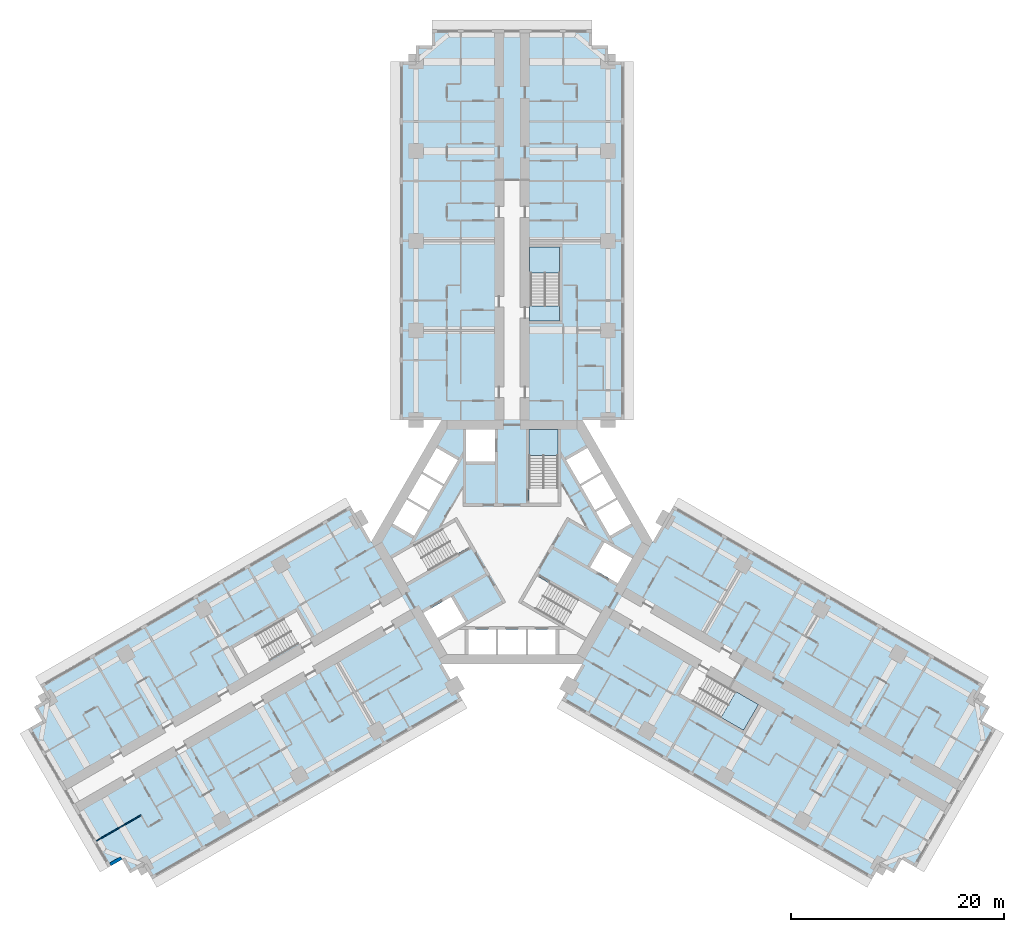
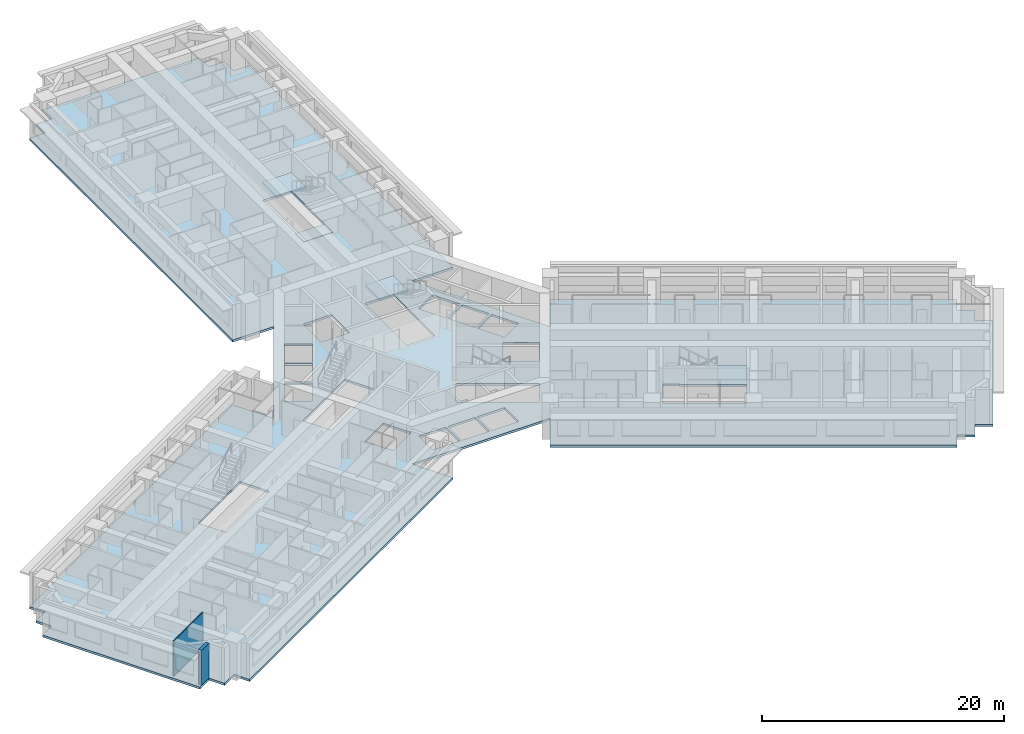
# One storey, part 2 of 16: 5 slabs, 2 walls, 3 elements without a shape of their own.
"""IFC4 building model written with IfcOpenShell, lengths in metres."""

from ifc_helpers import new_model, si_unit, direction, frame, frame_2d, origin, place, context, subcontext, project, spatial, polyline, rectangle, outline, extrude, material, layer, layer_set, type_object, element, aggregate, save


model = new_model("IFC4")

# Units and contexts
model_context = context("Model", 3, precision=1e-05, world=origin(), true_north=direction((0.0, 1.0)))
body_context = subcontext(model_context, "Body", "Model", "MODEL_VIEW")
ifc_project = project(units=[si_unit("LENGTHUNIT", "METRE"), si_unit("AREAUNIT", "SQUARE_METRE"), si_unit("VOLUMEUNIT", "CUBIC_METRE"), si_unit("PLANEANGLEUNIT", "RADIAN"), si_unit("MASSUNIT", "GRAM", prefix="KILO")], contexts=[model_context])

# Site, building, storey
site_placement = place(None, origin())
site = spatial("IfcSite", under=ifc_project, at=site_placement, CompositionType="ELEMENT")
building_placement = place(site_placement, origin())
building = spatial("IfcBuilding", under=site, at=building_placement, Name="Impinga Residences", CompositionType="ELEMENT")
storey_placement = place(building_placement, frame((0.0, 0.0, 56.0)))
storey = spatial("IfcBuildingStorey", under=building, at=storey_placement, Name="L13", CompositionType="ELEMENT", Elevation=56.0)

# Slab
ifc_material_1 = material(Name="Concrete C60/75", Category="concrete")
ifc_layer_1 = layer(ifc_material_1, 0.219970703125)
ifc_layer_set_1 = layer_set([ifc_layer_1], Name="Concrete C60/75")
slab_type_1 = type_object("IfcSlabType", Name="FS1 tower floor slab 220", PredefinedType="FLOOR", material=ifc_layer_set_1)
slab_1_placement = place(storey_placement, frame((0.0, 0.0, -0.219970703125)))
element("IfcSlab", 1, at=slab_1_placement, inside=storey, type_object=slab_type_1, Name="Floor slab FS1 L13", PredefinedType="FLOOR", context=body_context, shape_type="SweptSolid", body=[
    extrude(outline(polyline([(-34.49853515625, -30.31005859375), (-35.797607421875, -31.06005859375), (-36.547607421875, -29.760986328125), (-37.846435546875, -30.510986328125), (-45.346435546875, -17.5205078125), (-44.047607421875, -16.7705078125), (-44.797607421875, -15.471435546875), (-43.49853515625, -14.721435546875), (-44.24853515625, -13.422607421875), (-15.14990234375, 3.37744140625), (-13.199951171875, 0.0), (-6.60009765625, 11.431640625), (-10.5, 11.431640625), (-10.5, 45.031494140625), (-9.0, 45.031494140625), (-9.0, 46.531494140625), (-7.5, 46.531494140625), (-7.5, 48.031494140625), (7.5, 48.031494140625), (7.5, 46.531494140625), (9.0, 46.531494140625), (9.0, 45.031494140625), (10.5, 45.031494140625), (10.5, 11.431640625), (6.60009765625, 11.431640625), (13.199951171875, 0.0), (15.14990234375, 3.37744140625), (44.24853515625, -13.422607421875), (43.49853515625, -14.721435546875), (44.797607421875, -15.471435546875), (44.047607421875, -16.7705078125), (45.346435546875, -17.5205078125), (37.846435546875, -30.510986328125), (36.547607421875, -29.760986328125), (35.797607421875, -31.06005859375), (34.49853515625, -30.31005859375), (33.74853515625, -31.609130859375), (4.64990234375, -14.80908203125), (9.900146484375, -5.7158203125), (6.60009765625, -11.431640625), (-6.60009765625, -11.431640625), (-9.900146484375, -5.7158203125), (-4.64990234375, -14.80908203125), (-33.74853515625, -31.609130859375), (-34.49853515625, -30.31005859375)]), holes=[polyline([(-21.391357421875, -7.2119140625), (-26.154541015625, -9.9619140625), (-24.8046875, -12.30029296875), (-20.04150390625, -9.55029296875), (-19.991455078125, -9.63671875), (-18.779052734375, -8.936767578125), (-18.8291015625, -8.850341796875), (-18.8291015625, -8.850341796875), (-20.178955078125, -6.511962890625), (-21.391357421875, -7.2119140625), (-21.391357421875, -7.2119140625)]), polyline([(-1.5, -8.2314453125), (-4.10009765625, -8.2314453125), (-4.10009765625, -10.531494140625), (-1.5, -10.531494140625), (-1.5, -8.2314453125)]), polyline([(1.300048828125, -8.2314453125), (-1.300048828125, -8.2314453125), (-1.300048828125, -10.531494140625), (1.300048828125, -10.531494140625), (1.300048828125, -8.2314453125)]), polyline([(1.5, -8.2314453125), (1.5, -10.531494140625), (4.10009765625, -10.531494140625), (4.10009765625, -8.2314453125), (1.5, -8.2314453125)]), polyline([(-5.72119140625, -5.150634765625), (-8.320556640625, -6.6513671875), (-6.970458984375, -8.98974609375), (-4.37109375, -7.489013671875), (-5.72119140625, -5.150634765625)]), polyline([(-3.943603515625, -0.429443359375), (-5.293701171875, 1.908935546875), (-11.2705078125, -1.541748046875), (-9.920654296875, -3.880126953125), (-3.943603515625, -0.429443359375)]), polyline([(-9.1787109375, 0.56494140625), (-7.878662109375, 2.816650390625), (-9.87060546875, 3.966796875), (-11.170654296875, 1.715087890625), (-9.1787109375, 0.56494140625)]), polyline([(-6.478759765625, 5.24169921875), (-8.470458984375, 6.3916015625), (-9.7705078125, 4.139892578125), (-7.77880859375, 2.989990234375), (-6.478759765625, 5.24169921875)]), polyline([(-6.378662109375, 5.414794921875), (-5.07861328125, 7.66650390625), (-7.070556640625, 8.81640625), (-8.37060546875, 6.564697265625), (-6.378662109375, 5.414794921875)]), polyline([(-4.300048828125, 7.530029296875), (-1.60009765625, 7.530029296875), (-1.60009765625, 10.531494140625), (-4.300048828125, 10.531494140625), (-4.300048828125, 7.530029296875)]), polyline([(15.72900390625, -14.219482421875), (21.70458984375, -17.669677734375), (23.0546875, -15.331298828125), (18.29150390625, -12.581298828125), (18.341552734375, -12.49462890625), (17.129150390625, -11.794677734375), (15.72900390625, -14.219482421875)]), polyline([(0.99365234375, -5.538818359375), (6.970458984375, -8.98974609375), (8.320556640625, -6.6513671875), (2.34375, -3.20068359375), (0.99365234375, -5.538818359375)]), polyline([(8.671142578125, -0.041015625), (7.3212890625, -2.37939453125), (9.920654296875, -3.880126953125), (11.2705078125, -1.541748046875), (8.671142578125, -0.041015625)]), polyline([(7.878662109375, 2.816650390625), (9.1787109375, 0.56494140625), (11.170654296875, 1.715087890625), (9.87060546875, 3.966796875), (7.878662109375, 2.816650390625)]), polyline([(7.77880859375, 2.989990234375), (9.7705078125, 4.139892578125), (8.470458984375, 6.3916015625), (6.478759765625, 5.24169921875), (7.77880859375, 2.989990234375)]), polyline([(1.60009765625, 3.6298828125), (4.300048828125, 3.6298828125), (4.300048828125, 10.531494140625), (1.60009765625, 10.531494140625), (1.60009765625, 3.6298828125)]), polyline([(5.07861328125, 7.66650390625), (6.378662109375, 5.414794921875), (8.37060546875, 6.564697265625), (7.070556640625, 8.81640625), (5.07861328125, 7.66650390625)]), polyline([(1.75, 22.131591796875), (1.64990234375, 22.131591796875), (1.64990234375, 20.7314453125), (1.75, 20.7314453125), (4.449951171875, 20.7314453125), (4.449951171875, 22.131591796875), (4.449951171875, 27.631591796875), (1.75, 27.631591796875), (1.75, 22.131591796875)])]), origin(), (0.0, 0.0, 1.0), 0.219970703125),
])

# Stair, slab
ifc_material_2 = material(Name="Concrete C40/50", Category="concrete")
stair_type_1 = type_object("IfcStairType", Name="STR core stair 3750 storey, 24 risers", PredefinedType="HALF_TURN_STAIR", material=ifc_material_2)
stair_1_placement = place(storey_placement, origin())
stair_1 = element("IfcStair", 2, at=stair_1_placement, inside=storey, type_object=stair_type_1, Name="Stair ST1 L13", PredefinedType="HALF_TURN_STAIR")
ifc_layer_2 = layer(ifc_material_2, 0.199951171875)
ifc_layer_set_2 = layer_set([ifc_layer_2], Name="Concrete C40/50")
slab_type_2 = type_object("IfcSlabType", Name="LS1 stair landing 200", PredefinedType="LANDING", material=ifc_layer_set_2)
slab_2_placement = place(storey_placement, frame((0.0, 0.0, 1.675048828125)))
slab_2 = element("IfcSlab", 3, at=slab_2_placement, type_object=slab_type_2, Name="ST1 landing 2", PredefinedType="LANDING", context=body_context, shape_type="SweptSolid", body=[
    extrude(outline(polyline([(1.60009765625, 8.10009765625), (4.300048828125, 8.10009765625), (4.300048828125, 10.531494140625), (1.60009765625, 10.531494140625), (1.60009765625, 8.10009765625)])), origin(), (0.0, 0.0, 1.0), 0.199951171875),
])
aggregate(stair_1, [slab_2])

# Stair, slabs
stair_type_2 = type_object("IfcStairType", Name="STR wing stair 3750 storey, 24 risers", PredefinedType="HALF_TURN_STAIR", material=ifc_material_2)
stair_2_placement = place(storey_placement, origin())
stair_2 = element("IfcStair", 4, at=stair_2_placement, inside=storey, type_object=stair_type_2, Name="Stair WS1 L13", PredefinedType="HALF_TURN_STAIR")
slab_3_placement = place(storey_placement, frame((0.0, 0.0, -0.199951171875)))
slab_3 = element("IfcSlab", 5, at=slab_3_placement, type_object=slab_type_2, Name="WS1 landing 1", PredefinedType="LANDING", context=body_context, shape_type="SweptSolid", body=[
    extrude(outline(polyline([(1.64990234375, 20.7314453125), (4.449951171875, 20.7314453125), (4.449951171875, 22.1416015625), (1.64990234375, 22.1416015625), (1.64990234375, 20.7314453125)])), origin(), (0.0, 0.0, 1.0), 0.199951171875),
])
slab_4_placement = place(storey_placement, frame((0.0, 0.0, 1.675048828125)))
slab_4 = element("IfcSlab", 6, at=slab_4_placement, type_object=slab_type_2, Name="WS1 landing 2", PredefinedType="LANDING", context=body_context, shape_type="SweptSolid", body=[
    extrude(outline(polyline([(1.64990234375, 25.201416015625), (4.449951171875, 25.201416015625), (4.449951171875, 27.631591796875), (1.64990234375, 27.631591796875), (1.64990234375, 25.201416015625)])), origin(), (0.0, 0.0, 1.0), 0.199951171875),
])
aggregate(stair_2, [slab_3, slab_4])

# Stair, slab
stair_3_placement = place(storey_placement, origin())
stair_3 = element("IfcStair", 7, at=stair_3_placement, inside=storey, type_object=stair_type_2, Name="Stair WS3 L13", PredefinedType="HALF_TURN_STAIR")
slab_5_placement = place(storey_placement, frame((0.0, 0.0, 1.675048828125)))
slab_5 = element("IfcSlab", 8, at=slab_5_placement, type_object=slab_type_2, Name="WS3 landing 2", PredefinedType="LANDING", context=body_context, shape_type="SweptSolid", body=[
    extrude(outline(polyline([(21.000244140625, -14.02978515625), (19.60009765625, -16.45458984375), (21.70458984375, -17.669677734375), (23.1044921875, -15.24462890625), (21.000244140625, -14.02978515625)])), origin(), (0.0, 0.0, 1.0), 0.199951171875),
])
aggregate(stair_3, [slab_5])

# Walls
ifc_material_3 = material(Name="Terracotta rainscreen on blockwork", Category="masonry")
ifc_layer_3 = layer(ifc_material_3, 0.300048828125)
ifc_layer_set_3 = layer_set([ifc_layer_3], Name="EW1 external wall, terracotta rainscreen on blockwork 300")
wall_type_1 = type_object("IfcWallType", Name="EW1 external wall, terracotta rainscreen on blockwork 300", PredefinedType="SOLIDWALL", material=ifc_layer_set_3)
wall_1_placement = place(storey_placement, frame((-36.626708984375, -29.633544921875, 0.0), z_axis=(0.0, 0.0, 1.0), x_axis=(-0.866059708757, -0.499940577336, 0.0)))
element("IfcWall", 9, at=wall_1_placement, inside=storey, type_object=wall_type_1, Name="External wall EW1 L13", PredefinedType="SOLIDWALL", context=body_context, shape_type="SweptSolid", body=[
    extrude(rectangle(XDim=1.195068359375, YDim=0.300048828125, at=frame_2d((0.59765625, 0.0))), origin(), (0.0, 0.0, 1.0), 3.530029296875),
])
ifc_material_4 = material(Name="Gypsum board on steel studs", Category="steel")
ifc_layer_4 = layer(ifc_material_4, 0.10009765625)
ifc_layer_set_4 = layer_set([ifc_layer_4], Name="Gypsum board on steel studs")
wall_type_2 = type_object("IfcWallType", Name="IP1 partition 100", PredefinedType="PARTITIONING", material=ifc_layer_set_4)
wall_2_placement = place(storey_placement, frame((-34.77978515625, -25.622802734375, 0.0), z_axis=(0.0, 0.0, 1.0), x_axis=(-0.866037363387, -0.499979284789, 0.0)))
element("IfcWall", 10, at=wall_2_placement, inside=storey, type_object=wall_type_2, Name="Partition L13-WA5:DIV1", PredefinedType="PARTITIONING", context=body_context, shape_type="SweptSolid", body=[
    extrude(rectangle(XDim=4.800048828125, YDim=0.10009765625, at=frame_2d((2.39990234375, 0.0))), origin(), (0.0, 0.0, 1.0), 3.530029296875),
])

save(model, "model.ifc")
